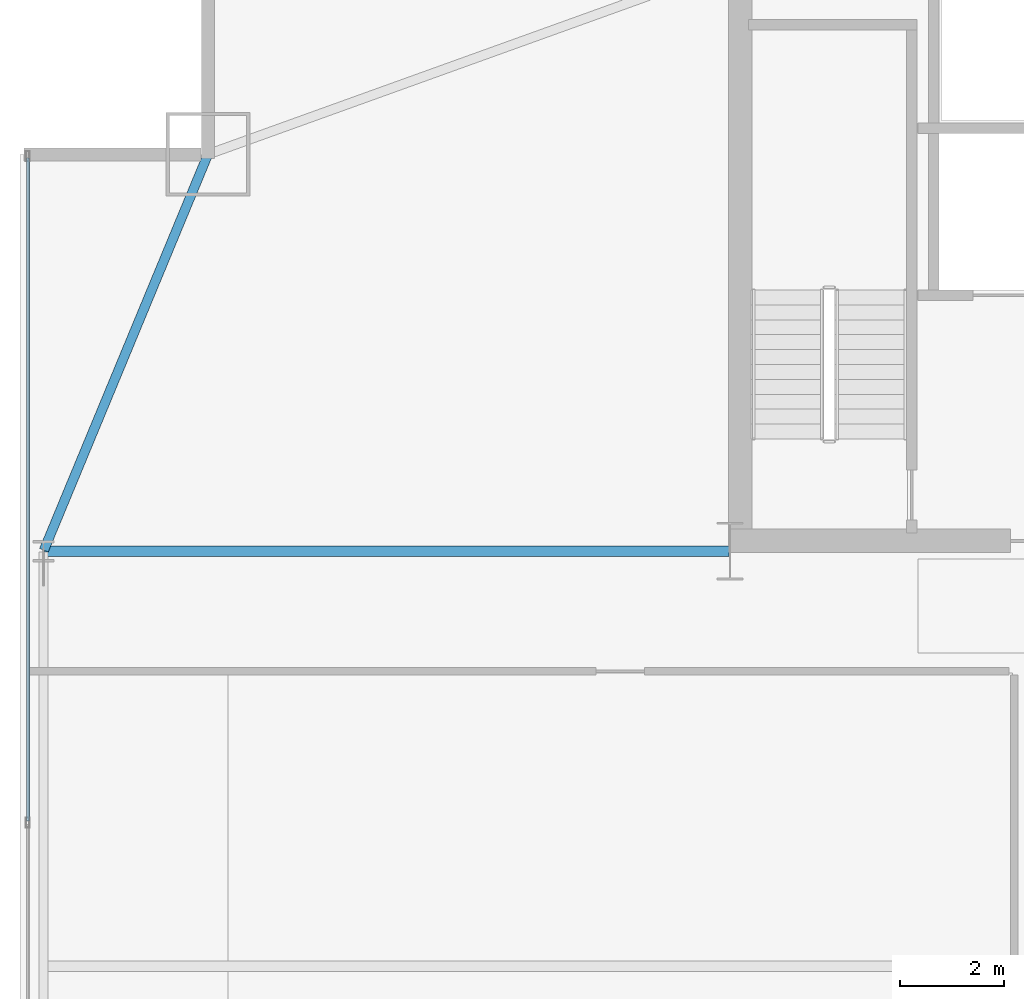
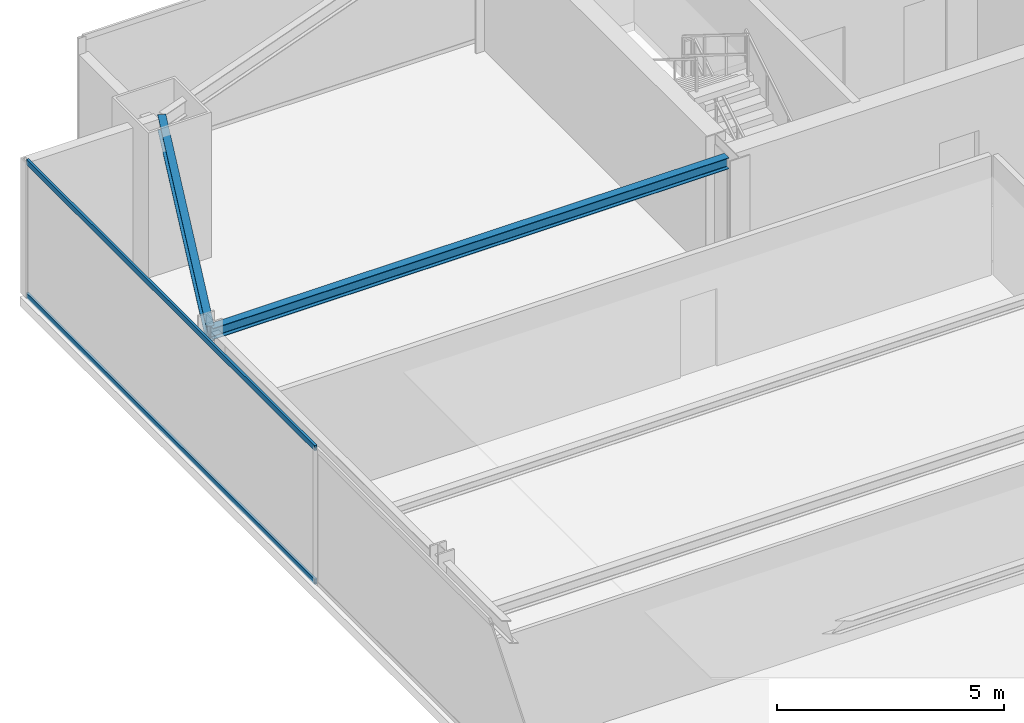
# One storey, part 21 of 32: 2 beams, 2 members, 1 element without a shape of its own.
"""IFC4 building model written with IfcOpenShell, lengths in metres."""

from ifc_helpers import new_model, si_unit, direction, frame, origin, origin_2d, place, context, subcontext, project, spatial, hollow_rectangle, i_section, extrude, source, transform, mapped, material, layer, layer_set, material_profile, profile_set, type_object, type_shapes, element, aggregate, save


model = new_model("IFC4")

# Units and contexts
model_context = context("Model", 3, precision=1e-05, world=origin(), true_north=direction((0.0, 1.0)))
body_context = subcontext(model_context, "Body", "Model", "MODEL_VIEW")
ifc_project = project(units=[si_unit("LENGTHUNIT", "METRE"), si_unit("AREAUNIT", "SQUARE_METRE"), si_unit("VOLUMEUNIT", "CUBIC_METRE"), si_unit("PLANEANGLEUNIT", "RADIAN"), si_unit("MASSUNIT", "GRAM", prefix="KILO")], contexts=[model_context])

# Site, building, storey
site_placement = place(None, origin())
site = spatial("IfcSite", under=ifc_project, at=site_placement, CompositionType="ELEMENT")
building_placement = place(site_placement, origin())
building = spatial("IfcBuilding", under=site, at=building_placement, Name="Varnel Quay Broadcast Tower", CompositionType="ELEMENT")
storey_placement = place(building_placement, frame((0.0, 0.0, 54.89990234375)))
storey = spatial("IfcBuildingStorey", under=building, at=storey_placement, Name="L12", CompositionType="ELEMENT", Elevation=54.89990234375)

# Beams
ifc_material_1 = material(Name="Structural Steel CSA G40.21 350W", Category="steel")
ifc_material_profile_1 = material_profile(ifc_material_1, i_section(OverallWidth=0.180908203125, OverallDepth=0.4169921875, WebThickness=0.010986328125, FlangeThickness=0.018310546875, FilletRadius=0.011962890625, at=origin_2d()), Name="W410X85")
ifc_profile_set_1 = profile_set([ifc_material_profile_1], Name="Structural Steel CSA G40.21 350W")
beam_type_1 = type_object("IfcBeamType", Name="Beam_W410X85", PredefinedType="SPANDREL", material=ifc_profile_set_1)
shared_shape_1 = source(origin(), body_context, "Body", "SweptSolid", [
    extrude(i_section(OverallWidth=0.180908203125, OverallDepth=0.4169921875, WebThickness=0.010986328125, FlangeThickness=0.018310546875, FilletRadius=0.011962890625, at=origin_2d()), origin(), (0.0, 0.0, 1.0), 8.186767578125),
])
type_shapes(beam_type_1, [shared_shape_1])
beam_1_placement = place(storey_placement, frame((2.457763671875, 35.618408203125, 3.441650390625), z_axis=(0.382874132092, 0.923800519038, 0.0), x_axis=(-0.923800519038, 0.382874132092, 0.0)))
element("IfcBeam", 1, at=beam_1_placement, inside=storey, type_object=beam_type_1, Name="L12 West Spandrel TC-W3-MC-NW", PredefinedType="SPANDREL", context=body_context, shape_type="MappedRepresentation", body=[
    mapped(shared_shape_1, transform((0.0, 0.0, 0.0), x_axis=(1.0, 0.0, 0.0), y_axis=(0.0, 1.0, 0.0), z_axis=(0.0, 0.0, 1.0), scale=1.0)),
])
ifc_material_profile_2 = material_profile(ifc_material_1, i_section(OverallWidth=0.202880859375, OverallDepth=0.302978515625, WebThickness=0.007568359375, FlangeThickness=0.01318359375, FilletRadius=0.011962890625, at=origin_2d()), Name="W310X60")
ifc_profile_set_2 = profile_set([ifc_material_profile_2], Name="Structural Steel CSA G40.21 350W")
beam_type_2 = type_object("IfcBeamType", Name="Beam_W310X60", PredefinedType="JOIST", material=ifc_profile_set_2)
shared_shape_2 = source(origin(), body_context, "Body", "SweptSolid", [
    extrude(i_section(OverallWidth=0.202880859375, OverallDepth=0.302978515625, WebThickness=0.007568359375, FlangeThickness=0.01318359375, FilletRadius=0.011962890625, at=origin_2d()), origin(), (0.0, 0.0, 1.0), 13.110107421875),
])
type_shapes(beam_type_2, [shared_shape_2])
beam_2_placement = place(storey_placement, frame((2.469970703125, 35.60009765625, 3.49853515625), z_axis=(1.0, 0.0, 0.0), x_axis=(0.0, 1.0, 0.0)))
element("IfcBeam", 2, at=beam_2_placement, inside=storey, type_object=beam_type_2, Name="L12 West Core Tie Joist", PredefinedType="JOIST", context=body_context, shape_type="MappedRepresentation", body=[
    mapped(shared_shape_2, transform((0.0, 0.0, 0.0), x_axis=(1.0, 0.0, 0.0), y_axis=(0.0, 1.0, 0.0), z_axis=(0.0, 0.0, 1.0), scale=1.0)),
])

# Curtain wall, members
ifc_material_2 = material(Name="Anodised Bronze Aluminium 6063-T6", Category="aluminium")
ifc_layer = layer(ifc_material_2, 0.18994140625, Name="Anodised Bronze Aluminium 6063-T6")
ifc_layer_set = layer_set([ifc_layer], Name="Anodised Bronze Aluminium 6063-T6")
curtain_wall_type = type_object("IfcCurtainWallType", Name="CW_LowerTower", PredefinedType="NOTDEFINED", material=ifc_layer_set)
curtain_wall_placement = place(storey_placement, origin())
curtain_wall = element("IfcCurtainWall", 3, at=curtain_wall_placement, inside=storey, type_object=curtain_wall_type, Name="L12 West Unitised Curtain Wall", PredefinedType="NOTDEFINED")
ifc_material_profile_3 = material_profile(ifc_material_2, hollow_rectangle(XDim=0.06005859375, YDim=0.14501953125, WallThickness=0.00341796875, at=origin_2d()), Name="ALU60X145X3.5")
ifc_profile_set_3 = profile_set([ifc_material_profile_3], Name="Anodised Bronze Aluminium 6063-T6")
member_type = type_object("IfcMemberType", Name="Tran_CWS-02", PredefinedType="USERDEFINED", material=ifc_profile_set_3)
shared_shape_3 = source(origin(), body_context, "Body", "SweptSolid", [
    extrude(hollow_rectangle(XDim=0.06005859375, YDim=0.14501953125, WallThickness=0.00341796875, at=origin_2d()), origin(), (0.0, 0.0, 1.0), 12.69482421875),
])
type_shapes(member_type, [shared_shape_3])
member_1_placement = place(storey_placement, frame((2.14990234375, 30.43505859375, 0.030029296875), z_axis=(0.0, 1.0, 0.0), x_axis=(-1.0, 0.0, 0.0)))
member_1 = element("IfcMember", 4, at=member_1_placement, type_object=member_type, Name="CWS-02 transom 3.1", ObjectType="TRANSOM", PredefinedType="USERDEFINED", context=body_context, shape_type="MappedRepresentation", body=[
    mapped(shared_shape_3, transform((0.0, 0.0, 0.0), x_axis=(1.0, 0.0, 0.0), y_axis=(0.0, 1.0, 0.0), z_axis=(0.0, 0.0, 1.0), scale=1.0)),
])
member_2_placement = place(storey_placement, frame((2.14990234375, 30.43505859375, 3.6201171875), z_axis=(0.0, 1.0, 0.0), x_axis=(-1.0, 0.0, 0.0)))
member_2 = element("IfcMember", 5, at=member_2_placement, type_object=member_type, Name="CWS-02 transom 3.2", ObjectType="TRANSOM", PredefinedType="USERDEFINED", context=body_context, shape_type="MappedRepresentation", body=[
    mapped(shared_shape_3, transform((0.0, 0.0, 0.0), x_axis=(1.0, 0.0, 0.0), y_axis=(0.0, 1.0, 0.0), z_axis=(0.0, 0.0, 1.0), scale=1.0)),
])
aggregate(curtain_wall, [member_1, member_2])

save(model, "model.ifc")
